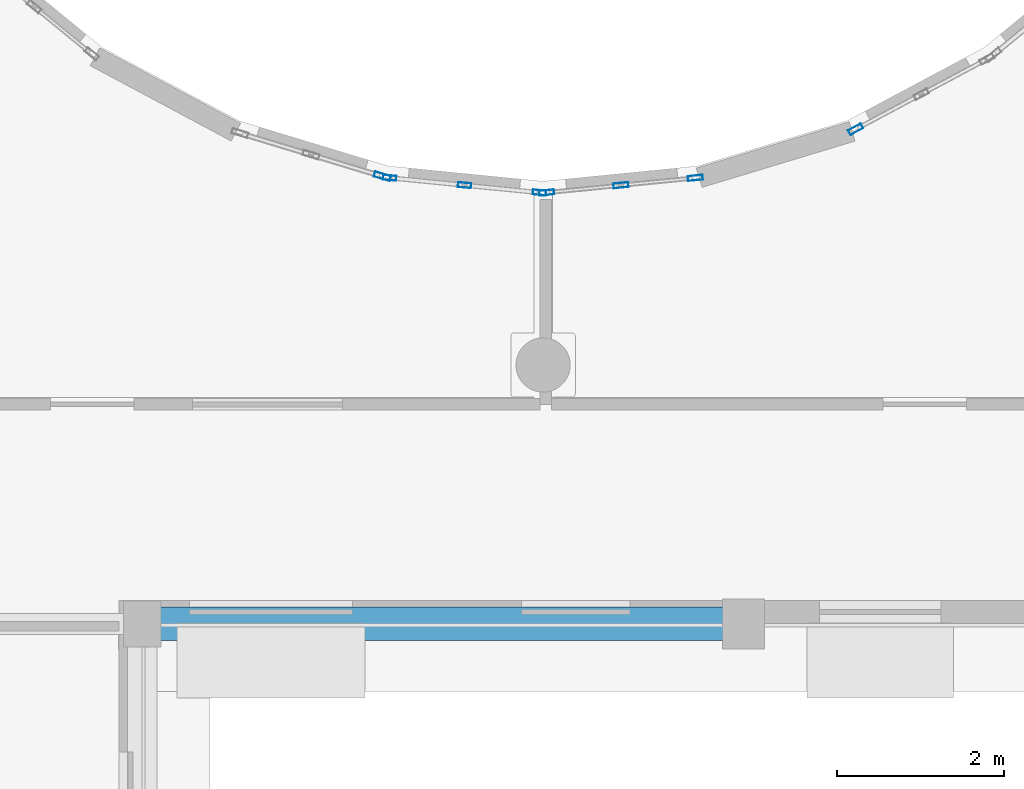
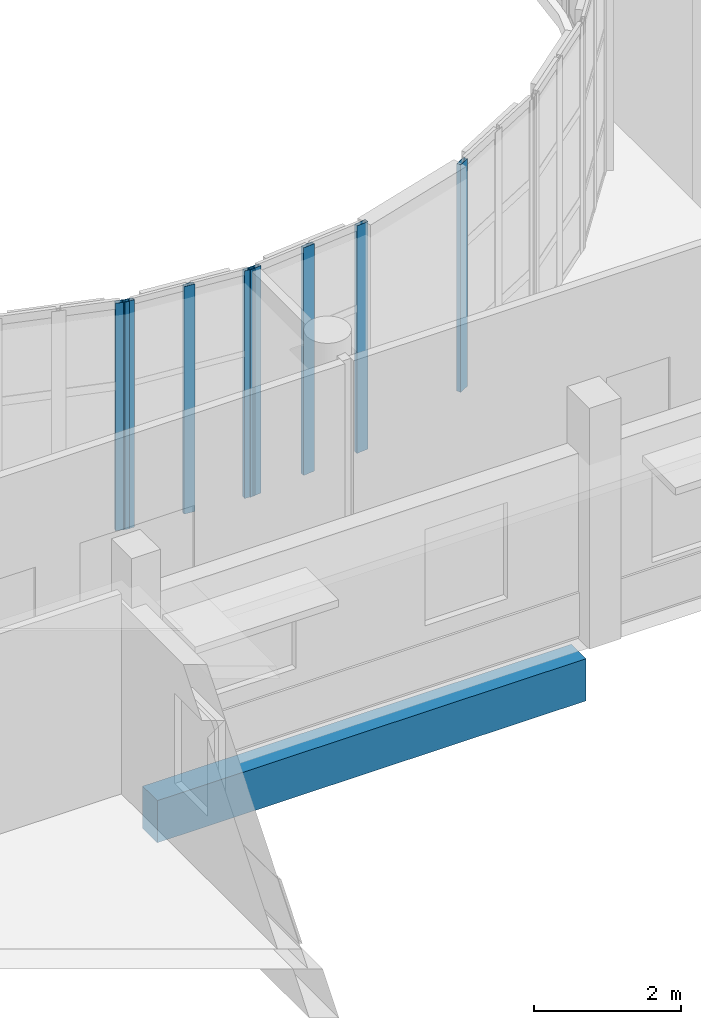
# One storey, part 37 of 105: 8 members, 1 beam, 4 elements without a shape of their own.
"""IFC4 building model written with IfcOpenShell, lengths in metres."""

from ifc_helpers import new_model, si_unit, direction, frame, origin, origin_2d, place, context, subcontext, project, spatial, rectangle, hollow_rectangle, extrude, material, layer, layer_set, material_profile, profile_set, type_object, element, aggregate, save


model = new_model("IFC4")

# Units and contexts
model_context = context("Model", 3, precision=1e-05, world=origin(), true_north=direction((0.0, 1.0)))
body_context = subcontext(model_context, "Body", "Model", "MODEL_VIEW")
ifc_project = project(units=[si_unit("LENGTHUNIT", "METRE"), si_unit("AREAUNIT", "SQUARE_METRE"), si_unit("VOLUMEUNIT", "CUBIC_METRE"), si_unit("PLANEANGLEUNIT", "RADIAN"), si_unit("MASSUNIT", "GRAM", prefix="KILO")], contexts=[model_context])

# Site, building, storey
site_placement = place(None, origin())
site = spatial("IfcSite", under=ifc_project, at=site_placement, CompositionType="ELEMENT")
building_placement = place(site_placement, origin())
building = spatial("IfcBuilding", under=site, at=building_placement, Name="Kelanivale Promenade Academy", CompositionType="ELEMENT")
storey_placement = place(building_placement, frame((0.0, 0.0, 4.199951171875)))
storey = spatial("IfcBuildingStorey", under=building, at=storey_placement, Name="L01", CompositionType="ELEMENT", Elevation=4.199951171875)

# Beam
ifc_material_1 = material(Name="Concrete C35/45", Category="concrete")
ifc_material_profile_1 = material_profile(ifc_material_1, rectangle(XDim=0.39990234375, YDim=0.699951171875, at=origin_2d()), Name="RC-BM 400x700")
ifc_profile_set_1 = profile_set([ifc_material_profile_1], Name="Concrete C35/45")
beam_type = type_object("IfcBeamType", Name="BM-02 RC-BM 400x700", PredefinedType="BEAM", material=ifc_profile_set_1)
beam_placement = place(storey_placement, frame((94.219970703125, 42.0, -0.570068359375), z_axis=(1.0, 0.0, 0.0), x_axis=(0.0, 1.0, 0.0)))
element("IfcBeam", 1, at=beam_placement, inside=storey, type_object=beam_type, Name="L01 girder BM-02", PredefinedType="BEAM", context=body_context, shape_type="SweptSolid", body=[
    extrude(rectangle(XDim=0.39990234375, YDim=0.699951171875, at=origin_2d()), origin(), (0.0, 0.0, 1.0), 6.735107421875),
])

# Curtain wall, members
ifc_material_2 = material(Name="Bronze anodised aluminium and solar-control low-E glass", Category="aluminium")
ifc_layer_1 = layer(ifc_material_2, 0.159912109375)
ifc_layer_set_1 = layer_set([ifc_layer_1], Name="Bronze anodised aluminium and solar-control low-E glass")
curtain_wall_type_1 = type_object("IfcCurtainWallType", Name="CW-21 Curtain Wall 1650mm Module", PredefinedType="USERDEFINED", material=ifc_layer_set_1)
curtain_wall_1_placement = place(storey_placement, origin())
curtain_wall_1 = element("IfcCurtainWall", 2, at=curtain_wall_1_placement, inside=storey, type_object=curtain_wall_type_1, Name="L01 courtyard curtain wall CW-21", ObjectType="COURTYARD SCREEN GLAZING", PredefinedType="USERDEFINED")
ifc_material_3 = material(Name="Bronze anodised aluminium EN AW-6063 T6", Category="aluminium")
ifc_material_profile_2 = material_profile(ifc_material_3, hollow_rectangle(XDim=0.06005859375, YDim=0.159912109375, WallThickness=0.00390625, at=origin_2d()), Name="ALU 60x160x4.0")
ifc_profile_set_2 = profile_set([ifc_material_profile_2], Name="Bronze anodised aluminium EN AW-6063 T6")
member_type_1 = type_object("IfcMemberType", Name="CWM-01 ALU 60x160x4.0", PredefinedType="MULLION", material=ifc_profile_set_2)
member_1_placement = place(storey_placement, frame((96.962890625, 47.341064453125, 0.0), z_axis=(0.0, 0.0, 1.0), x_axis=(0.098280652454, 0.995158737767, 0.0)))
member_1 = element("IfcMember", 3, at=member_1_placement, type_object=member_type_1, Name="CW-21 mullion 1", PredefinedType="MULLION", context=body_context, shape_type="SweptSolid", body=[
    extrude(hollow_rectangle(XDim=0.06005859375, YDim=0.159912109375, WallThickness=0.00390625, at=origin_2d()), origin(), (0.0, 0.0, 1.0), 3.780029296875),
])
member_2_placement = place(storey_placement, frame((97.859619140625, 47.25244140625, 0.0), z_axis=(0.0, 0.0, 1.0), x_axis=(0.098280652454, 0.995158737767, 0.0)))
member_2 = element("IfcMember", 4, at=member_2_placement, type_object=member_type_1, Name="CW-21 mullion 2", PredefinedType="MULLION", context=body_context, shape_type="SweptSolid", body=[
    extrude(hollow_rectangle(XDim=0.06005859375, YDim=0.159912109375, WallThickness=0.00390625, at=origin_2d()), origin(), (0.0, 0.0, 1.0), 3.780029296875),
])
member_3_placement = place(storey_placement, frame((98.756103515625, 47.1640625, 0.0), z_axis=(0.0, 0.0, 1.0), x_axis=(0.098280652454, 0.995158737767, 0.0)))
member_3 = element("IfcMember", 5, at=member_3_placement, type_object=member_type_1, Name="CW-21 mullion 3", PredefinedType="MULLION", context=body_context, shape_type="SweptSolid", body=[
    extrude(hollow_rectangle(XDim=0.06005859375, YDim=0.159912109375, WallThickness=0.00390625, at=origin_2d()), origin(), (0.0, 0.0, 1.0), 3.780029296875),
])
aggregate(curtain_wall_1, [member_1, member_2, member_3])

ifc_layer_2 = layer(ifc_material_2, 0.169921875)
ifc_layer_set_2 = layer_set([ifc_layer_2], Name="Bronze anodised aluminium and solar-control low-E glass")
curtain_wall_type_2 = type_object("IfcCurtainWallType", Name="CW-22 Curtain Wall 1800mm Module", PredefinedType="USERDEFINED", material=ifc_layer_set_2)
curtain_wall_2_placement = place(storey_placement, origin())
curtain_wall_2 = element("IfcCurtainWall", 6, at=curtain_wall_2_placement, inside=storey, type_object=curtain_wall_type_2, Name="L01 courtyard curtain wall CW-22", ObjectType="COURTYARD SCREEN GLAZING", PredefinedType="USERDEFINED")
ifc_material_profile_3 = material_profile(ifc_material_3, hollow_rectangle(XDim=0.06005859375, YDim=0.179931640625, WallThickness=0.00390625, at=origin_2d()), Name="ALU 60x180x4.0")
ifc_profile_set_3 = profile_set([ifc_material_profile_3], Name="Bronze anodised aluminium EN AW-6063 T6")
member_type_2 = type_object("IfcMemberType", Name="CWM-02 ALU 60x180x4.0", PredefinedType="MULLION", material=ifc_profile_set_3)
member_4_placement = place(storey_placement, frame((98.84375, 47.1640625, 0.0), z_axis=(0.0, 0.0, 1.0), x_axis=(-0.098538762159, 0.99513321337, 0.0)))
member_4 = element("IfcMember", 7, at=member_4_placement, type_object=member_type_2, Name="CW-22 mullion 1", PredefinedType="MULLION", context=body_context, shape_type="SweptSolid", body=[
    extrude(hollow_rectangle(XDim=0.06005859375, YDim=0.179931640625, WallThickness=0.00390625, at=origin_2d()), origin(), (0.0, 0.0, 1.0), 3.780029296875),
])
member_5_placement = place(storey_placement, frame((99.73291015625, 47.251953125, 0.0), z_axis=(0.0, 0.0, 1.0), x_axis=(-0.098538762159, 0.99513321337, 0.0)))
member_5 = element("IfcMember", 8, at=member_5_placement, type_object=member_type_2, Name="CW-22 mullion 2", PredefinedType="MULLION", context=body_context, shape_type="SweptSolid", body=[
    extrude(hollow_rectangle(XDim=0.06005859375, YDim=0.179931640625, WallThickness=0.00390625, at=origin_2d()), origin(), (0.0, 0.0, 1.0), 3.780029296875),
])
member_6_placement = place(storey_placement, frame((100.6220703125, 47.340087890625, 0.0), z_axis=(0.0, 0.0, 1.0), x_axis=(-0.098538762159, 0.99513321337, 0.0)))
member_6 = element("IfcMember", 9, at=member_6_placement, type_object=member_type_2, Name="CW-22 mullion 3", PredefinedType="MULLION", context=body_context, shape_type="SweptSolid", body=[
    extrude(hollow_rectangle(XDim=0.06005859375, YDim=0.179931640625, WallThickness=0.00390625, at=origin_2d()), origin(), (0.0, 0.0, 1.0), 3.780029296875),
])
aggregate(curtain_wall_2, [member_4, member_5, member_6])

# Curtain wall, member
ifc_layer_3 = layer(ifc_material_2, 0.179931640625)
ifc_layer_set_3 = layer_set([ifc_layer_3], Name="Bronze anodised aluminium and solar-control low-E glass")
curtain_wall_type_3 = type_object("IfcCurtainWallType", Name="CW-23 Curtain Wall 1950mm Module", PredefinedType="USERDEFINED", material=ifc_layer_set_3)
curtain_wall_3_placement = place(storey_placement, origin())
curtain_wall_3 = element("IfcCurtainWall", 10, at=curtain_wall_3_placement, inside=storey, type_object=curtain_wall_type_3, Name="L01 courtyard curtain wall CW-23", ObjectType="COURTYARD SCREEN GLAZING", PredefinedType="USERDEFINED")
ifc_material_profile_4 = material_profile(ifc_material_3, hollow_rectangle(XDim=0.06494140625, YDim=0.175048828125, WallThickness=0.00390625, at=origin_2d()), Name="ALU 65x175x4.0")
ifc_profile_set_4 = profile_set([ifc_material_profile_4], Name="Bronze anodised aluminium EN AW-6063 T6")
member_type_3 = type_object("IfcMemberType", Name="CWM-03 ALU 65x175x4.0", PredefinedType="MULLION", material=ifc_profile_set_4)
member_7_placement = place(storey_placement, frame((102.542724609375, 47.92236328125, 0.0), z_axis=(0.0, 0.0, 1.0), x_axis=(-0.471290193914, 0.881978204448, 0.0)))
member_7 = element("IfcMember", 11, at=member_7_placement, type_object=member_type_3, Name="CW-23 mullion 1", PredefinedType="MULLION", context=body_context, shape_type="SweptSolid", body=[
    extrude(hollow_rectangle(XDim=0.06494140625, YDim=0.175048828125, WallThickness=0.00390625, at=origin_2d()), origin(), (0.0, 0.0, 1.0), 3.780029296875),
])
aggregate(curtain_wall_3, [member_7])

ifc_layer_4 = layer(ifc_material_2, 0.179931640625)
ifc_layer_set_4 = layer_set([ifc_layer_4], Name="Bronze anodised aluminium and solar-control low-E glass")
curtain_wall_type_4 = type_object("IfcCurtainWallType", Name="CW-20 Curtain Wall 1500mm Module", PredefinedType="USERDEFINED", material=ifc_layer_set_4)
curtain_wall_4_placement = place(storey_placement, origin())
curtain_wall_4 = element("IfcCurtainWall", 12, at=curtain_wall_4_placement, inside=storey, type_object=curtain_wall_type_4, Name="L01 courtyard curtain wall CW-20", ObjectType="COURTYARD SCREEN GLAZING", PredefinedType="USERDEFINED")
ifc_material_profile_5 = material_profile(ifc_material_3, hollow_rectangle(XDim=0.06494140625, YDim=0.199951171875, WallThickness=0.00439453125, at=origin_2d()), Name="ALU 65x200x4.5")
ifc_profile_set_5 = profile_set([ifc_material_profile_5], Name="Bronze anodised aluminium EN AW-6063 T6")
member_type_4 = type_object("IfcMemberType", Name="CWM-04 ALU 65x200x4.5", PredefinedType="MULLION", material=ifc_profile_set_5)
member_8_placement = place(storey_placement, frame((96.875, 47.3583984375, 0.0), z_axis=(0.0, 0.0, 1.0), x_axis=(0.290127576893, 0.956987977524, 0.0)))
member_8 = element("IfcMember", 13, at=member_8_placement, type_object=member_type_4, Name="CW-20 mullion 3", PredefinedType="MULLION", context=body_context, shape_type="SweptSolid", body=[
    extrude(hollow_rectangle(XDim=0.06494140625, YDim=0.199951171875, WallThickness=0.00439453125, at=origin_2d()), origin(), (0.0, 0.0, 1.0), 3.780029296875),
])
aggregate(curtain_wall_4, [member_8])

save(model, "model.ifc")
